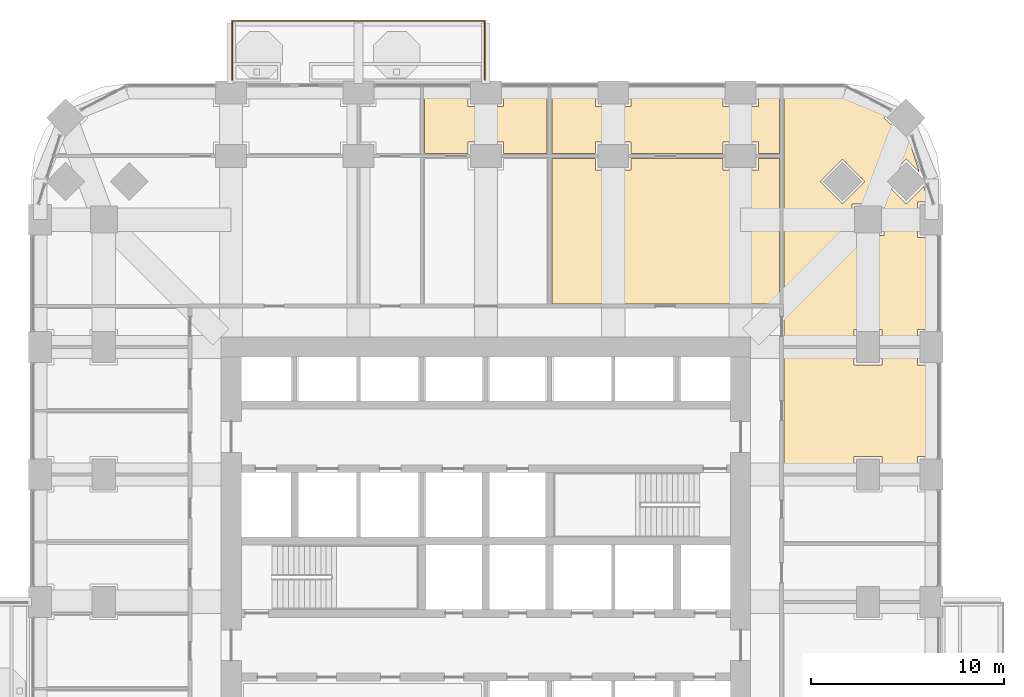
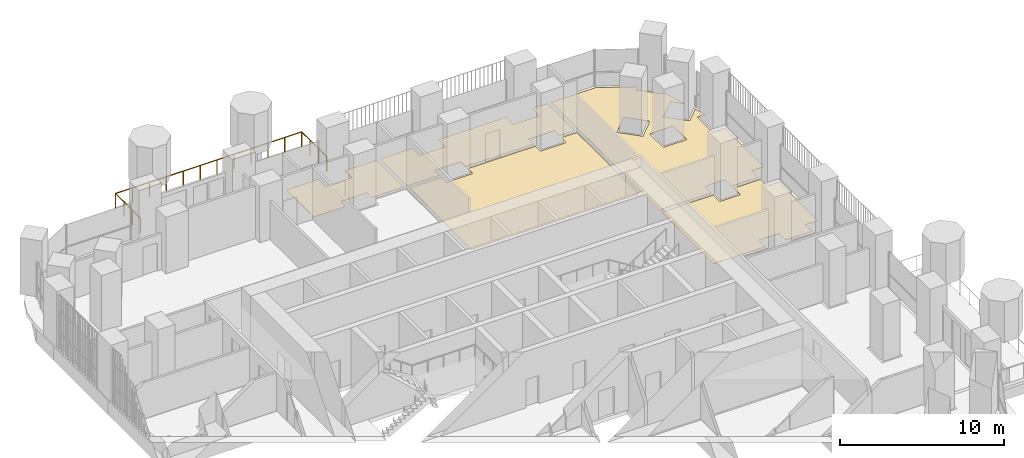
# One storey, part 20 of 21: 5 coverings, 1 railing.
"""IFC4 building model written with IfcOpenShell, lengths in metres."""

import ifcopenshell
import ifcopenshell.guid

model = None  # the IFC model being written
_history = None  # IfcOwnerHistory: only IFC2X3 demands one
_inside = {}  # id of a spatial element -> (the spatial element, [elements in it])
_under = {}  # id of a project, library or spatial element -> (it, [spatial elements below it])
_declared = {}  # id of a project -> (the project, [libraries it declares])
_typed = {}  # id of a type object -> (the type object, [elements of that type])
_made_of = {}  # id of a material, layer set ... -> (it, [elements and type objects made of it])


def new_model(schema):
    """Start an empty IFC model of exactly this schema.

    Asked for "IFC4X3", IfcOpenShell would pick the latest addendum, in which some entities
    have other attributes; the version numbers below select the first issue.
    IFC2X3 requires an IfcOwnerHistory on every rooted entity: one is made here for all.
    """
    global model, _history
    if schema == "IFC4X3":
        model = ifcopenshell.file(schema_version=(4, 3, 0, 0))
    else:
        model = ifcopenshell.file(schema=schema)
    _inside.clear()
    _under.clear()
    _declared.clear()
    _typed.clear()
    _made_of.clear()
    _history = None
    if model.schema == "IFC2X3":
        org = make("IfcOrganization", Name="unknown")
        user = make(
            "IfcPersonAndOrganization",
            ThePerson=make("IfcPerson", FamilyName="unknown"),
            TheOrganization=org,
        )
        app = make(
            "IfcApplication",
            ApplicationDeveloper=org,
            Version="unknown",
            ApplicationFullName="unknown",
            ApplicationIdentifier="unknown",
        )
        _history = make(
            "IfcOwnerHistory",
            OwningUser=user,
            OwningApplication=app,
            ChangeAction="ADDED",
            CreationDate=0,
        )
    return model


def make(cls, **values):
    """One entity of the class cls with the attributes given. An attribute that is None is left unset."""
    return model.create_entity(
        cls, **{name: value for name, value in values.items() if value is not None}
    )


def rooted(cls, **values):
    """An entity with a GlobalId (a new one), such as an element, a storey or a relation."""
    return make(cls, GlobalId=ifcopenshell.guid.new(), OwnerHistory=_history, **values)


def si_unit(unit_type, name, prefix=None):
    """IfcSIUnit, for example si_unit("LENGTHUNIT", "METRE", prefix="MILLI")."""
    return make("IfcSIUnit", UnitType=unit_type, Prefix=prefix, Name=name)


def assignment(units):
    """IfcUnitAssignment: the units of a project."""
    return None if units is None else make("IfcUnitAssignment", Units=units)


def point(xyz):
    """IfcCartesianPoint."""
    return None if xyz is None else make("IfcCartesianPoint", Coordinates=xyz)


def direction(xyz):
    """IfcDirection."""
    return None if xyz is None else make("IfcDirection", DirectionRatios=xyz)


def frame(location, z_axis=None, x_axis=None):
    """IfcAxis2Placement3D, a coordinate frame: its origin and axes. An axis left out is left unset."""
    return make(
        "IfcAxis2Placement3D",
        Location=point(location),
        Axis=direction(z_axis),
        RefDirection=direction(x_axis),
    )


def origin():
    """The frame at (0, 0, 0) with its axes left unset."""
    return frame((0.0, 0.0, 0.0))


def place(relative_to, where):
    """IfcLocalPlacement: puts the frame where relative to a parent placement (None: the world)."""
    return make(
        "IfcLocalPlacement", PlacementRelTo=relative_to, RelativePlacement=where
    )


def context(
    kind, dimensions, precision=None, world=None, true_north=None, identifier=None
):
    """IfcGeometricRepresentationContext, for example the 3D "Model" context."""
    return make(
        "IfcGeometricRepresentationContext",
        ContextIdentifier=identifier,
        ContextType=kind,
        CoordinateSpaceDimension=dimensions,
        Precision=precision,
        WorldCoordinateSystem=world,
        TrueNorth=true_north,
    )


def subcontext(parent, identifier, kind, view, scale=None):
    """IfcGeometricRepresentationSubContext, for example "Body" below "Model"."""
    return make(
        "IfcGeometricRepresentationSubContext",
        ContextIdentifier=identifier,
        ContextType=kind,
        ParentContext=parent,
        TargetScale=scale,
        TargetView=view,
    )


def project(units=None, contexts=None):
    """IfcProject with its units and contexts."""
    return rooted(
        "IfcProject",
        Name="project",
        RepresentationContexts=contexts,
        UnitsInContext=assignment(units),
    )


def spatial(cls, under=None, at=None, **own):
    """A site, building, storey or space (cls), placed at a placement, below another one or the project."""
    s = rooted(cls, ObjectPlacement=at, **own)
    if under is not None:
        _under.setdefault(under.id(), (under, []))[1].append(s)
    return s


def polyline(points):
    """IfcPolyline through the points."""
    return make("IfcPolyline", Points=[point(p) for p in points])


def outline(outer, holes=None, kind="AREA"):
    """IfcArbitraryClosedProfileDef: a profile drawn as a closed curve; with holes, ...WithVoids."""
    if holes is None:
        return make("IfcArbitraryClosedProfileDef", ProfileType=kind, OuterCurve=outer)
    return make(
        "IfcArbitraryProfileDefWithVoids",
        ProfileType=kind,
        OuterCurve=outer,
        InnerCurves=holes,
    )


def extrude(swept, where, along, depth):
    """IfcExtrudedAreaSolid: the profile swept, set in the frame where, extruded along a direction by depth."""
    return make(
        "IfcExtrudedAreaSolid",
        SweptArea=swept,
        Position=where,
        ExtrudedDirection=direction(along),
        Depth=depth,
    )


def shape(context_of_items, identifier, shape_type, items):
    """IfcShapeRepresentation: the items that make up one representation, for example the "Body"."""
    return make(
        "IfcShapeRepresentation",
        ContextOfItems=context_of_items,
        RepresentationIdentifier=identifier,
        RepresentationType=shape_type,
        Items=items,
    )


def material(Name=None, Category=None):
    """IfcMaterial."""
    return make("IfcMaterial", Name=Name, Category=Category)


def layer(
    of_material, thickness, ventilated=None, Name=None, Category=None, Priority=None
):
    """IfcMaterialLayer: one layer of a wall or slab, of a material (None: an air gap)."""
    return make(
        "IfcMaterialLayer",
        Material=of_material,
        LayerThickness=thickness,
        IsVentilated=ventilated,
        Name=Name,
        Category=Category,
        Priority=Priority,
    )


def layer_set(layers, Name=None):
    """IfcMaterialLayerSet."""
    return make("IfcMaterialLayerSet", MaterialLayers=layers, LayerSetName=Name)


def made_of(thing, what):
    """Note that an element or type object is made of a material, layer set ...; save() writes the relation."""
    if what is not None:
        _made_of.setdefault(what.id(), (what, []))[1].append(thing)
    return thing


def type_object(cls, material=None, **own):
    """A type object (cls), such as IfcWallType, which elements share."""
    return made_of(rooted(cls, **own), material)


def element(
    cls,
    number,
    at=None,
    inside=None,
    cuts=None,
    type_object=None,
    material=None,
    context=None,
    identifier="Body",
    shape_type=None,
    held_by="IfcProductDefinitionShape",
    body=None,
    shapes=None,
    **own,
):
    """One element of the class cls, such as IfcWall. Its Tag is "e" and its number.

    at: its placement. inside: the storey or other place that contains it. cuts: it is an
    opening in that element (IfcRelVoidsElement). A single representation is given by context,
    identifier, shape_type and body (its items); several are given by shapes. held_by: the class
    of the entity that holds the representations. save() writes the other relations.
    """
    e = rooted(cls, Tag="e%d" % number, ObjectPlacement=at, **own)
    if body is not None:
        shapes = [shape(context, identifier, shape_type, body)]
    if shapes is not None:
        e.Representation = make(held_by, Representations=shapes)
    if inside is not None:
        _inside.setdefault(inside.id(), (inside, []))[1].append(e)
    if cuts is not None:
        rooted(
            "IfcRelVoidsElement", RelatingBuildingElement=cuts, RelatedOpeningElement=e
        )
    if type_object is not None:
        _typed.setdefault(type_object.id(), (type_object, []))[1].append(e)
    return made_of(e, material)


def aggregate(whole, parts):
    """IfcRelAggregates: a whole, such as a stair, and the parts it consists of."""
    return rooted("IfcRelAggregates", RelatingObject=whole, RelatedObjects=parts)


def save(model, path):
    """Write the relations noted so far, then the file.

    IfcRelAggregates (storeys below a building ...), IfcRelContainedInSpatialStructure (elements
    in a storey), IfcRelDefinesByType, IfcRelAssociatesMaterial and IfcRelDeclares: one each for
    every whole, place, type object, material and project.
    """
    for whole, parts in _under.values():
        aggregate(whole, parts)
    for where, things in _inside.values():
        rooted(
            "IfcRelContainedInSpatialStructure",
            RelatedElements=things,
            RelatingStructure=where,
        )
    for kind, things in _typed.values():
        rooted("IfcRelDefinesByType", RelatedObjects=things, RelatingType=kind)
    for what, things in _made_of.values():
        rooted("IfcRelAssociatesMaterial", RelatedObjects=things, RelatingMaterial=what)
    for by, libraries in _declared.values():
        rooted("IfcRelDeclares", RelatingContext=by, RelatedDefinitions=libraries)
    model.write(path)


model = new_model("IFC4")

# Units and contexts
model_context = context("Model", 3, precision=1e-05, world=origin(), true_north=direction((0.0, 1.0)))
body_context = subcontext(model_context, "Body", "Model", "MODEL_VIEW")
ifc_project = project(units=[si_unit("LENGTHUNIT", "METRE"), si_unit("AREAUNIT", "SQUARE_METRE"), si_unit("VOLUMEUNIT", "CUBIC_METRE"), si_unit("PLANEANGLEUNIT", "RADIAN"), si_unit("MASSUNIT", "GRAM", prefix="KILO")], contexts=[model_context])

# Site, building, storey
site_placement = place(None, origin())
site = spatial("IfcSite", under=ifc_project, at=site_placement, CompositionType="ELEMENT")
building_placement = place(site_placement, origin())
building = spatial("IfcBuilding", under=site, at=building_placement, Name="Cobogo Forest Laboratory Tower", CompositionType="ELEMENT")
storey_placement = place(building_placement, frame((0.0, 0.0, 90.60009765625)))
storey = spatial("IfcBuildingStorey", under=building, at=storey_placement, Name="L20", CompositionType="ELEMENT", Elevation=90.60009765625)

# Railing
ifc_material_1 = material(Name="Laminated glass balustrade", Category="glass")
railing_type = type_object("IfcRailingType", Name="BG1 glass balustrade 1100", PredefinedType="GUARDRAIL", material=ifc_material_1)
railing_placement = place(storey_placement, frame((13.25, 46.85009765625, 0.0)))
element("IfcRailing", 1, at=railing_placement, inside=storey, type_object=railing_type, Name="Balcony balustrade BAL-N1 L20", PredefinedType="GUARDRAIL", context=body_context, shape_type="SweptSolid", body=[
    extrude(outline(polyline([(0.022216796875, 0.00927734375), (0.00927734375, 0.022216796875), (-0.00927734375, 0.022216796875), (-0.022216796875, 0.00927734375), (-0.022216796875, -0.00927734375), (-0.00927734375, -0.022216796875), (0.00927734375, -0.022216796875), (0.022216796875, -0.00927734375), (0.022216796875, 0.00927734375)])), frame((0.0, 0.0, 1.077880859375), z_axis=(0.0, 1.0, 0.0), x_axis=(-1.0, 0.0, 0.0)), (0.0, 0.0, 1.0), 3.0498046875),
    extrude(outline(polyline([(0.022216796875, 0.00927734375), (0.00927734375, 0.022216796875), (-0.00927734375, 0.022216796875), (-0.022216796875, 0.00927734375), (-0.022216796875, -0.00927734375), (-0.00927734375, -0.022216796875), (0.00927734375, -0.022216796875), (0.022216796875, -0.00927734375), (0.022216796875, 0.00927734375)])), frame((0.0, 3.0498046875, 1.077880859375), z_axis=(1.0, 0.0, 0.0), x_axis=(0.0, 1.0, 0.0)), (0.0, 0.0, 1.0), 13.10009765625),
    extrude(outline(polyline([(0.022216796875, 0.00927734375), (0.00927734375, 0.022216796875), (-0.00927734375, 0.022216796875), (-0.022216796875, 0.00927734375), (-0.022216796875, -0.00927734375), (-0.00927734375, -0.022216796875), (0.00927734375, -0.022216796875), (0.022216796875, -0.00927734375), (0.022216796875, 0.00927734375)])), frame((13.10009765625, 3.0498046875, 1.077880859375), z_axis=(0.0, -1.0, 0.0), x_axis=(1.0, 0.0, 0.0)), (0.0, 0.0, 1.0), 3.0498046875),
    extrude(outline(polyline([(0.019287109375, 0.008056640625), (0.008056640625, 0.019287109375), (-0.008056640625, 0.019287109375), (-0.019287109375, 0.008056640625), (-0.019287109375, -0.008056640625), (-0.008056640625, -0.019287109375), (0.008056640625, -0.019287109375), (0.019287109375, -0.008056640625), (0.019287109375, 0.008056640625)])), origin(), (0.0, 0.0, 1.0), 1.077880859375),
    extrude(outline(polyline([(0.019287109375, 0.008056640625), (0.008056640625, 0.019287109375), (-0.008056640625, 0.019287109375), (-0.019287109375, 0.008056640625), (-0.019287109375, -0.008056640625), (-0.008056640625, -0.019287109375), (0.008056640625, -0.019287109375), (0.019287109375, -0.008056640625), (0.019287109375, 0.008056640625)])), frame((0.0, 1.0166015625, 0.0)), (0.0, 0.0, 1.0), 1.077880859375),
    extrude(outline(polyline([(0.019287109375, 0.008056640625), (0.008056640625, 0.019287109375), (-0.008056640625, 0.019287109375), (-0.019287109375, 0.008056640625), (-0.019287109375, -0.008056640625), (-0.008056640625, -0.019287109375), (0.008056640625, -0.019287109375), (0.019287109375, -0.008056640625), (0.019287109375, 0.008056640625)])), frame((0.0, 2.033203125, 0.0)), (0.0, 0.0, 1.0), 1.077880859375),
    extrude(outline(polyline([(0.019287109375, 0.008056640625), (0.008056640625, 0.019287109375), (-0.008056640625, 0.019287109375), (-0.019287109375, 0.008056640625), (-0.019287109375, -0.008056640625), (-0.008056640625, -0.019287109375), (0.008056640625, -0.019287109375), (0.019287109375, -0.008056640625), (0.019287109375, 0.008056640625)])), frame((0.0, 3.0498046875, 0.0)), (0.0, 0.0, 1.0), 1.077880859375),
    extrude(outline(polyline([(0.019287109375, 0.008056640625), (0.008056640625, 0.019287109375), (-0.008056640625, 0.019287109375), (-0.019287109375, 0.008056640625), (-0.019287109375, -0.008056640625), (-0.008056640625, -0.019287109375), (0.008056640625, -0.019287109375), (0.019287109375, -0.008056640625), (0.019287109375, 0.008056640625)])), frame((1.19091796875, 3.0498046875, 0.0)), (0.0, 0.0, 1.0), 1.077880859375),
    extrude(outline(polyline([(0.019287109375, 0.008056640625), (0.008056640625, 0.019287109375), (-0.008056640625, 0.019287109375), (-0.019287109375, 0.008056640625), (-0.019287109375, -0.008056640625), (-0.008056640625, -0.019287109375), (0.008056640625, -0.019287109375), (0.019287109375, -0.008056640625), (0.019287109375, 0.008056640625)])), frame((2.3818359375, 3.0498046875, 0.0)), (0.0, 0.0, 1.0), 1.077880859375),
    extrude(outline(polyline([(0.019287109375, 0.008056640625), (0.008056640625, 0.019287109375), (-0.008056640625, 0.019287109375), (-0.019287109375, 0.008056640625), (-0.019287109375, -0.008056640625), (-0.008056640625, -0.019287109375), (0.008056640625, -0.019287109375), (0.019287109375, -0.008056640625), (0.019287109375, 0.008056640625)])), frame((3.57275390625, 3.0498046875, 0.0)), (0.0, 0.0, 1.0), 1.077880859375),
    extrude(outline(polyline([(0.019287109375, 0.008056640625), (0.008056640625, 0.019287109375), (-0.008056640625, 0.019287109375), (-0.019287109375, 0.008056640625), (-0.019287109375, -0.008056640625), (-0.008056640625, -0.019287109375), (0.008056640625, -0.019287109375), (0.019287109375, -0.008056640625), (0.019287109375, 0.008056640625)])), frame((4.763671875, 3.0498046875, 0.0)), (0.0, 0.0, 1.0), 1.077880859375),
    extrude(outline(polyline([(0.019287109375, 0.008056640625), (0.008056640625, 0.019287109375), (-0.008056640625, 0.019287109375), (-0.019287109375, 0.008056640625), (-0.019287109375, -0.008056640625), (-0.008056640625, -0.019287109375), (0.008056640625, -0.019287109375), (0.019287109375, -0.008056640625), (0.019287109375, 0.008056640625)])), frame((5.95458984375, 3.0498046875, 0.0)), (0.0, 0.0, 1.0), 1.077880859375),
    extrude(outline(polyline([(0.019287109375, 0.008056640625), (0.008056640625, 0.019287109375), (-0.008056640625, 0.019287109375), (-0.019287109375, 0.008056640625), (-0.019287109375, -0.008056640625), (-0.008056640625, -0.019287109375), (0.008056640625, -0.019287109375), (0.019287109375, -0.008056640625), (0.019287109375, 0.008056640625)])), frame((7.1455078125, 3.0498046875, 0.0)), (0.0, 0.0, 1.0), 1.077880859375),
    extrude(outline(polyline([(0.019287109375, 0.008056640625), (0.008056640625, 0.019287109375), (-0.008056640625, 0.019287109375), (-0.019287109375, 0.008056640625), (-0.019287109375, -0.008056640625), (-0.008056640625, -0.019287109375), (0.008056640625, -0.019287109375), (0.019287109375, -0.008056640625), (0.019287109375, 0.008056640625)])), frame((8.33642578125, 3.0498046875, 0.0)), (0.0, 0.0, 1.0), 1.077880859375),
    extrude(outline(polyline([(0.019287109375, 0.008056640625), (0.008056640625, 0.019287109375), (-0.008056640625, 0.019287109375), (-0.019287109375, 0.008056640625), (-0.019287109375, -0.008056640625), (-0.008056640625, -0.019287109375), (0.008056640625, -0.019287109375), (0.019287109375, -0.008056640625), (0.019287109375, 0.008056640625)])), frame((9.52734375, 3.0498046875, 0.0)), (0.0, 0.0, 1.0), 1.077880859375),
    extrude(outline(polyline([(0.019287109375, 0.008056640625), (0.008056640625, 0.019287109375), (-0.008056640625, 0.019287109375), (-0.019287109375, 0.008056640625), (-0.019287109375, -0.008056640625), (-0.008056640625, -0.019287109375), (0.008056640625, -0.019287109375), (0.019287109375, -0.008056640625), (0.019287109375, 0.008056640625)])), frame((10.71826171875, 3.0498046875, 0.0)), (0.0, 0.0, 1.0), 1.077880859375),
    extrude(outline(polyline([(0.019287109375, 0.008056640625), (0.008056640625, 0.019287109375), (-0.008056640625, 0.019287109375), (-0.019287109375, 0.008056640625), (-0.019287109375, -0.008056640625), (-0.008056640625, -0.019287109375), (0.008056640625, -0.019287109375), (0.019287109375, -0.008056640625), (0.019287109375, 0.008056640625)])), frame((11.9091796875, 3.0498046875, 0.0)), (0.0, 0.0, 1.0), 1.077880859375),
    extrude(outline(polyline([(0.019287109375, 0.008056640625), (0.008056640625, 0.019287109375), (-0.008056640625, 0.019287109375), (-0.019287109375, 0.008056640625), (-0.019287109375, -0.008056640625), (-0.008056640625, -0.019287109375), (0.008056640625, -0.019287109375), (0.019287109375, -0.008056640625), (0.019287109375, 0.008056640625)])), frame((13.10009765625, 3.0498046875, 0.0)), (0.0, 0.0, 1.0), 1.077880859375),
    extrude(outline(polyline([(0.019287109375, 0.008056640625), (0.008056640625, 0.019287109375), (-0.008056640625, 0.019287109375), (-0.019287109375, 0.008056640625), (-0.019287109375, -0.008056640625), (-0.008056640625, -0.019287109375), (0.008056640625, -0.019287109375), (0.019287109375, -0.008056640625), (0.019287109375, 0.008056640625)])), frame((13.10009765625, 2.033203125, 0.0)), (0.0, 0.0, 1.0), 1.077880859375),
    extrude(outline(polyline([(0.019287109375, 0.008056640625), (0.008056640625, 0.019287109375), (-0.008056640625, 0.019287109375), (-0.019287109375, 0.008056640625), (-0.019287109375, -0.008056640625), (-0.008056640625, -0.019287109375), (0.008056640625, -0.019287109375), (0.019287109375, -0.008056640625), (0.019287109375, 0.008056640625)])), frame((13.10009765625, 1.0166015625, 0.0)), (0.0, 0.0, 1.0), 1.077880859375),
    extrude(outline(polyline([(0.019287109375, 0.008056640625), (0.008056640625, 0.019287109375), (-0.008056640625, 0.019287109375), (-0.019287109375, 0.008056640625), (-0.019287109375, -0.008056640625), (-0.008056640625, -0.019287109375), (0.008056640625, -0.019287109375), (0.019287109375, -0.008056640625), (0.019287109375, 0.008056640625)])), frame((13.10009765625, 0.0, 0.0)), (0.0, 0.0, 1.0), 1.077880859375),
])

# Coverings
ifc_material_2 = material(Name="Carpet tile on raised access floor", Category="flooring")
ifc_layer_1 = layer(ifc_material_2, 0.008056640625)
ifc_layer_set_1 = layer_set([ifc_layer_1], Name="CT1 carpet tile floor 8")
covering_type_1 = type_object("IfcCoveringType", Name="CT1 carpet tile floor 8", PredefinedType="FLOORING", material=ifc_layer_set_1)
covering_1_placement = place(storey_placement, origin())
element("IfcCovering", 2, at=covering_1_placement, inside=storey, type_object=covering_type_1, Name="Carpet floor L20-12", PredefinedType="FLOORING", context=body_context, shape_type="SweptSolid", body=[
    extrude(outline(polyline([(41.844970703125, 32.8798828125), (45.47998046875, 32.8798828125), (45.47998046875, 32.080078125), (46.919921875, 32.080078125), (46.919921875, 32.8798828125), (48.780029296875, 32.8798828125), (48.780029296875, 32.080078125), (49.64990234375, 32.080078125), (49.64990234375, 27.320068359375), (48.780029296875, 27.320068359375), (48.780029296875, 26.52001953125), (46.919921875, 26.52001953125), (46.919921875, 27.320068359375), (45.47998046875, 27.320068359375), (45.47998046875, 26.52001953125), (41.844970703125, 26.52001953125), (41.844970703125, 32.8798828125)])), origin(), (0.0, 0.0, 1.0), 0.0078125),
])
covering_2_placement = place(storey_placement, origin())
element("IfcCovering", 3, at=covering_2_placement, inside=storey, type_object=covering_type_1, Name="Carpet floor L20-13", PredefinedType="FLOORING", context=body_context, shape_type="SweptSolid", body=[
    extrude(outline(polyline([(41.844970703125, 46.35009765625), (44.95068359375, 46.35009765625), (47.27294921875, 45.132568359375), (47.022216796875, 44.882080078125), (48.181884765625, 43.722412109375), (48.30078125, 43.84130859375), (48.86328125, 42.060302734375), (48.181884765625, 42.74169921875), (47.022216796875, 41.58203125), (48.181884765625, 40.42236328125), (49.093017578125, 41.333251953125), (49.349853515625, 40.52001953125), (48.780029296875, 40.52001953125), (48.780029296875, 38.679931640625), (49.64990234375, 38.679931640625), (49.64990234375, 33.919921875), (48.780029296875, 33.919921875), (48.780029296875, 33.1201171875), (46.919921875, 33.1201171875), (46.919921875, 33.919921875), (45.47998046875, 33.919921875), (45.47998046875, 33.1201171875), (41.844970703125, 33.1201171875), (41.844970703125, 46.35009765625)]), holes=[polyline([(45.3798828125, 40.419921875), (45.3798828125, 38.780029296875), (47.02001953125, 38.780029296875), (47.02001953125, 40.419921875), (45.3798828125, 40.419921875)]), polyline([(43.722412109375, 41.58203125), (44.882080078125, 40.42236328125), (46.041748046875, 41.58203125), (44.882080078125, 42.74169921875), (43.722412109375, 41.58203125)])]), origin(), (0.0, 0.0, 1.0), 0.0078125),
])
covering_3_placement = place(storey_placement, origin())
element("IfcCovering", 4, at=covering_3_placement, inside=storey, type_object=covering_type_1, Name="Carpet floor L20-19", PredefinedType="FLOORING", context=body_context, shape_type="SweptSolid", body=[
    extrude(outline(polyline([(27.320068359375, 43.02001953125), (27.320068359375, 43.6201171875), (25.47998046875, 43.6201171875), (25.47998046875, 43.02001953125), (23.219970703125, 43.02001953125), (23.219970703125, 46.35009765625), (25.47998046875, 46.35009765625), (25.47998046875, 45.47998046875), (27.320068359375, 45.47998046875), (27.320068359375, 46.35009765625), (29.580078125, 46.35009765625), (29.580078125, 43.02001953125), (27.320068359375, 43.02001953125)])), origin(), (0.0, 0.0, 1.0), 0.0078125),
])
covering_4_placement = place(storey_placement, origin())
element("IfcCovering", 5, at=covering_4_placement, inside=storey, type_object=covering_type_1, Name="Carpet floor L20-21", PredefinedType="FLOORING", context=body_context, shape_type="SweptSolid", body=[
    extrude(outline(polyline([(40.52001953125, 43.02001953125), (40.52001953125, 43.6201171875), (38.679931640625, 43.6201171875), (38.679931640625, 43.02001953125), (33.919921875, 43.02001953125), (33.919921875, 43.6201171875), (32.080078125, 43.6201171875), (32.080078125, 43.02001953125), (29.820068359375, 43.02001953125), (29.820068359375, 46.35009765625), (32.080078125, 46.35009765625), (32.080078125, 45.47998046875), (33.919921875, 45.47998046875), (33.919921875, 46.35009765625), (38.679931640625, 46.35009765625), (38.679931640625, 45.47998046875), (40.52001953125, 45.47998046875), (40.52001953125, 46.35009765625), (41.60498046875, 46.35009765625), (41.60498046875, 43.02001953125), (40.52001953125, 43.02001953125)])), origin(), (0.0, 0.0, 1.0), 0.0078125),
])
ifc_material_3 = material(Name="Ceramic floor tile", Category="flooring")
ifc_layer_2 = layer(ifc_material_3, 0.010009765625)
ifc_layer_set_2 = layer_set([ifc_layer_2], Name="TF1 ceramic tile floor 10")
covering_type_2 = type_object("IfcCoveringType", Name="TF1 ceramic tile floor 10", PredefinedType="FLOORING", material=ifc_layer_set_2)
covering_5_placement = place(storey_placement, origin())
element("IfcCovering", 6, at=covering_5_placement, inside=storey, type_object=covering_type_2, Name="Tile floor L20-20", PredefinedType="FLOORING", context=body_context, shape_type="SweptSolid", body=[
    extrude(outline(polyline([(29.820068359375, 42.780029296875), (32.080078125, 42.780029296875), (32.080078125, 42.179931640625), (33.919921875, 42.179931640625), (33.919921875, 42.780029296875), (38.679931640625, 42.780029296875), (38.679931640625, 42.179931640625), (40.52001953125, 42.179931640625), (40.52001953125, 42.780029296875), (41.60498046875, 42.780029296875), (41.60498046875, 35.2451171875), (29.820068359375, 35.2451171875), (29.820068359375, 42.780029296875)])), origin(), (0.0, 0.0, 1.0), 0.010009765625),
])

save(model, "model.ifc")
